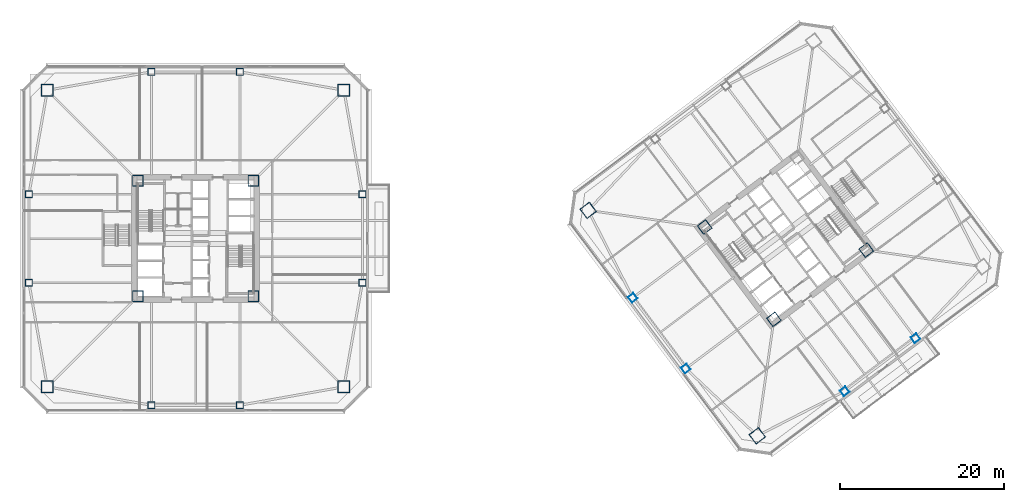
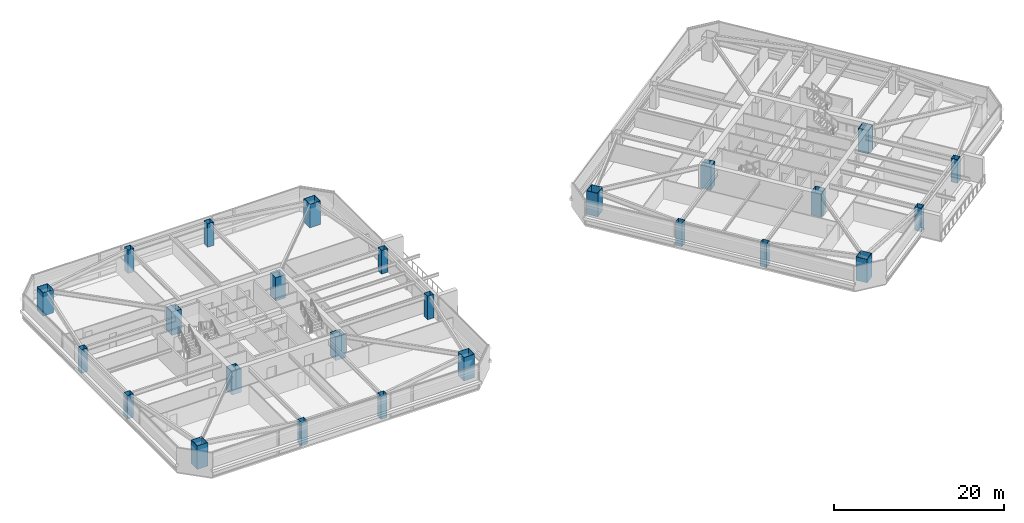
# One storey, part 1 of 44: 25 columns.
"""IFC4 building model written with IfcOpenShell, lengths in metres."""

from ifc_helpers import new_model, si_unit, direction, frame, origin, origin_2d, place, context, subcontext, project, spatial, hollow_rectangle, extrude, material, material_profile, profile_set, type_object, element, save


model = new_model("IFC4")

# Units and contexts
model_context = context("Model", 3, precision=1e-05, world=origin(), true_north=direction((0.0, 1.0)))
body_context = subcontext(model_context, "Body", "Model", "MODEL_VIEW")
ifc_project = project(units=[si_unit("LENGTHUNIT", "METRE"), si_unit("AREAUNIT", "SQUARE_METRE"), si_unit("VOLUMEUNIT", "CUBIC_METRE"), si_unit("PLANEANGLEUNIT", "RADIAN"), si_unit("MASSUNIT", "GRAM", prefix="KILO")], contexts=[model_context])

# Site, building, storey
site_placement = place(None, origin())
site = spatial("IfcSite", under=ifc_project, at=site_placement, CompositionType="ELEMENT")
building_placement = place(site_placement, origin())
building = spatial("IfcBuilding", under=site, at=building_placement, Name="Tashvorn Skyway Center", CompositionType="ELEMENT")
storey_placement = place(building_placement, frame((0.0, 0.0, 102.699951171875)))
storey = spatial("IfcBuildingStorey", under=building, at=storey_placement, Name="L27", CompositionType="ELEMENT", Elevation=102.699951171875)

# Columns
ifc_material = material(Name="Steel ASTM A572 Grade 50", Category="steel")
ifc_material_profile_1 = material_profile(ifc_material, hollow_rectangle(XDim=1.300048828125, YDim=1.300048828125, WallThickness=0.050048828125, at=origin_2d()), Name="BOX1300x1300x50")
ifc_profile_set_1 = profile_set([ifc_material_profile_1], Name="Steel ASTM A572 Grade 50")
column_type_1 = type_object("IfcColumnType", Name="COL-BOX1300x1300x50", PredefinedType="COLUMN", material=ifc_profile_set_1)
for number, where, z_axis, x_axis, name in (
    (1, (34.949951171875, 24.949951171875, 0.0), (0.0, 0.0, 1.0), (1.0, 0.0, 0.0), "Tower 1 L27 Core Corner Column CC-SW"),
    (2, (49.050048828125, 24.949951171875, 0.0), (0.0, 0.0, 1.0), (1.0, 0.0, 0.0), "Tower 1 L27 Core Corner Column CC-SE"),
    (3, (49.050048828125, 39.050048828125, 0.0), (0.0, 0.0, 1.0), (1.0, 0.0, 0.0), "Tower 1 L27 Core Corner Column CC-NE"),
    (4, (34.949951171875, 39.050048828125, 0.0), (0.0, 0.0, 1.0), (1.0, 0.0, 0.0), "Tower 1 L27 Core Corner Column CC-NW"),
    (5, (112.590087890625, 22.1298828125, 0.0), (0.0, 0.0, 1.0), (0.799999996291, 0.600000004945, 0.0), "Tower 2 L27 Core Corner Column CC-SW"),
    (6, (123.8701171875, 30.590087890625, 0.0), (0.0, 0.0, 1.0), (0.799999996291, 0.600000004945, 0.0), "Tower 2 L27 Core Corner Column CC-SE"),
    (7, (104.1298828125, 33.409912109375, 0.0), (0.0, 0.0, 1.0), (0.799999996291, 0.600000004945, 0.0), "Tower 2 L27 Core Corner Column CC-NW"),
):
    element("IfcColumn", number, at=place(storey_placement, frame(where, z_axis=z_axis, x_axis=x_axis)), inside=storey, type_object=column_type_1, Name=name, PredefinedType="COLUMN", context=body_context, shape_type="SweptSolid", body=[
        extrude(hollow_rectangle(XDim=1.300048828125, YDim=1.300048828125, WallThickness=0.050048828125, at=origin_2d()), origin(), (0.0, 0.0, 1.0), 3.35009765625),
    ])
ifc_material_profile_2 = material_profile(ifc_material, hollow_rectangle(XDim=1.449951171875, YDim=1.449951171875, WallThickness=0.054931640625, at=origin_2d()), Name="BOX1450x1450x55")
ifc_profile_set_2 = profile_set([ifc_material_profile_2], Name="Steel ASTM A572 Grade 50")
column_type_2 = type_object("IfcColumnType", Name="COL-BOX1450x1450x55", PredefinedType="COLUMN", material=ifc_profile_set_2)
for number, where, z_axis, x_axis, name in (
    (8, (23.89990234375, 13.89990234375, 0.0), (0.0, 0.0, 1.0), (1.0, 0.0, 0.0), "Tower 1 L27 Mega-Column MC-SW"),
    (9, (60.10009765625, 13.89990234375, 0.0), (0.0, 0.0, 1.0), (1.0, 0.0, 0.0), "Tower 1 L27 Mega-Column MC-SE"),
    (10, (60.10009765625, 50.10009765625, 0.0), (0.0, 0.0, 1.0), (1.0, 0.0, 0.0), "Tower 1 L27 Mega-Column MC-NE"),
    (11, (23.89990234375, 50.10009765625, 0.0), (0.0, 0.0, 1.0), (1.0, 0.0, 0.0), "Tower 1 L27 Mega-Column MC-NW"),
    (12, (110.56005859375, 7.919921875, 0.0), (0.0, 0.0, 1.0), (0.799999996291, 0.600000004945, 0.0), "Tower 2 L27 Mega-Column MC-SW"),
    (13, (89.919921875, 35.43994140625, 0.0), (0.0, 0.0, 1.0), (0.799999996291, 0.600000004945, 0.0), "Tower 2 L27 Mega-Column MC-NW"),
):
    element("IfcColumn", number, at=place(storey_placement, frame(where, z_axis=z_axis, x_axis=x_axis)), inside=storey, type_object=column_type_2, Name=name, PredefinedType="COLUMN", context=body_context, shape_type="SweptSolid", body=[
        extrude(hollow_rectangle(XDim=1.449951171875, YDim=1.449951171875, WallThickness=0.054931640625, at=origin_2d()), origin(), (0.0, 0.0, 1.0), 3.35009765625),
    ])
ifc_material_profile_3 = material_profile(ifc_material, hollow_rectangle(XDim=0.85009765625, YDim=0.85009765625, WallThickness=0.034912109375, at=origin_2d()), Name="BOX850x850x35")
ifc_profile_set_3 = profile_set([ifc_material_profile_3], Name="Steel ASTM A572 Grade 50")
column_type_3 = type_object("IfcColumnType", Name="COL-BOX850x850x35", PredefinedType="COLUMN", material=ifc_profile_set_3)
for number, where, z_axis, x_axis, name in (
    (14, (36.60009765625, 11.64990234375, 0.0), (0.0, 0.0, 1.0), (1.0, 0.0, 0.0), "Tower 1 L27 Perimeter Column FC-S1"),
    (15, (47.39990234375, 11.64990234375, 0.0), (0.0, 0.0, 1.0), (1.0, 0.0, 0.0), "Tower 1 L27 Perimeter Column FC-S2"),
    (16, (62.35009765625, 26.60009765625, 0.0), (0.0, 0.0, 1.0), (1.0, 0.0, 0.0), "Tower 1 L27 Perimeter Column FC-E1"),
    (17, (62.35009765625, 37.39990234375, 0.0), (0.0, 0.0, 1.0), (1.0, 0.0, 0.0), "Tower 1 L27 Perimeter Column FC-E2"),
    (18, (47.39990234375, 52.35009765625, 0.0), (0.0, 0.0, 1.0), (1.0, 0.0, 0.0), "Tower 1 L27 Perimeter Column FC-N1"),
    (19, (36.60009765625, 52.35009765625, 0.0), (0.0, 0.0, 1.0), (1.0, 0.0, 0.0), "Tower 1 L27 Perimeter Column FC-N2"),
    (20, (21.64990234375, 37.39990234375, 0.0), (0.0, 0.0, 1.0), (1.0, 0.0, 0.0), "Tower 1 L27 Perimeter Column FC-W1"),
    (21, (21.64990234375, 26.60009765625, 0.0), (0.0, 0.0, 1.0), (1.0, 0.0, 0.0), "Tower 1 L27 Perimeter Column FC-W2"),
    (22, (121.22998046875, 13.360107421875, 0.0), (0.0, 0.0, 1.0), (0.799999996291, 0.600000004945, 0.0), "Tower 2 L27 Perimeter Column FC-S1"),
    (23, (129.8701171875, 19.840087890625, 0.0), (0.0, 0.0, 1.0), (0.799999996291, 0.600000004945, 0.0), "Tower 2 L27 Perimeter Column FC-S2"),
    (24, (95.360107421875, 24.77001953125, 0.0), (0.0, 0.0, 1.0), (0.799999996291, 0.600000004945, 0.0), "Tower 2 L27 Perimeter Column FC-W1"),
    (25, (101.840087890625, 16.1298828125, 0.0), (0.0, 0.0, 1.0), (0.799999996291, 0.600000004945, 0.0), "Tower 2 L27 Perimeter Column FC-W2"),
):
    element("IfcColumn", number, at=place(storey_placement, frame(where, z_axis=z_axis, x_axis=x_axis)), inside=storey, type_object=column_type_3, Name=name, PredefinedType="COLUMN", context=body_context, shape_type="SweptSolid", body=[
        extrude(hollow_rectangle(XDim=0.85009765625, YDim=0.85009765625, WallThickness=0.034912109375, at=origin_2d()), origin(), (0.0, 0.0, 1.0), 3.35009765625),
    ])

save(model, "model.ifc")
